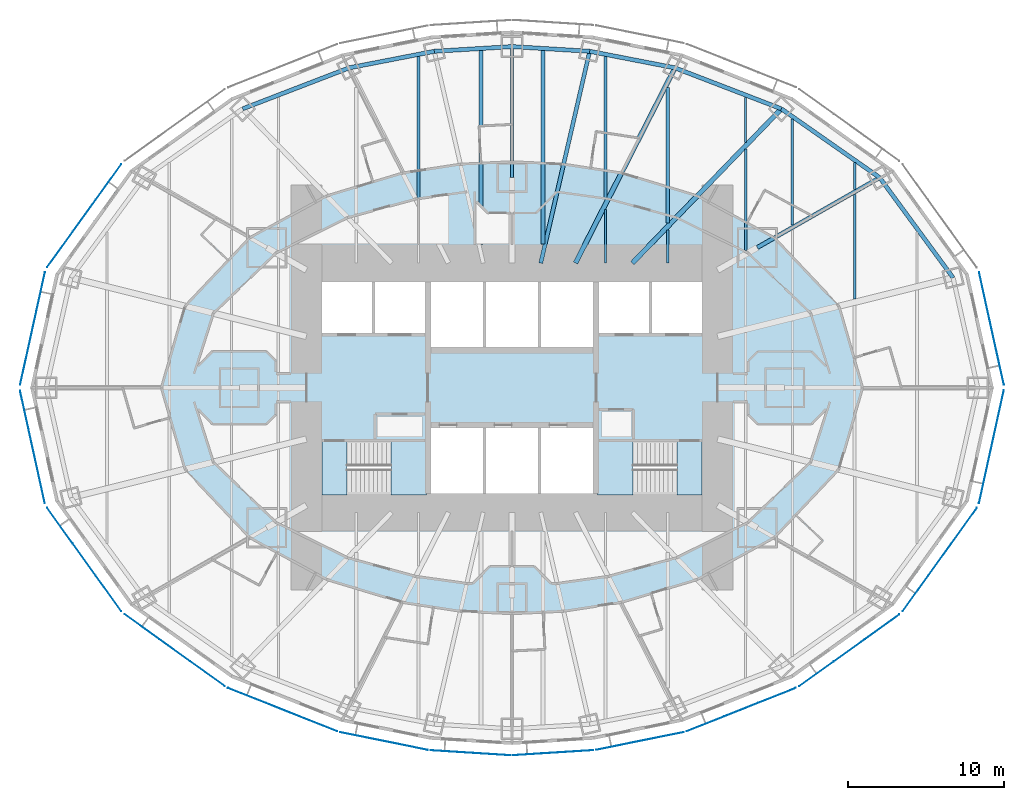
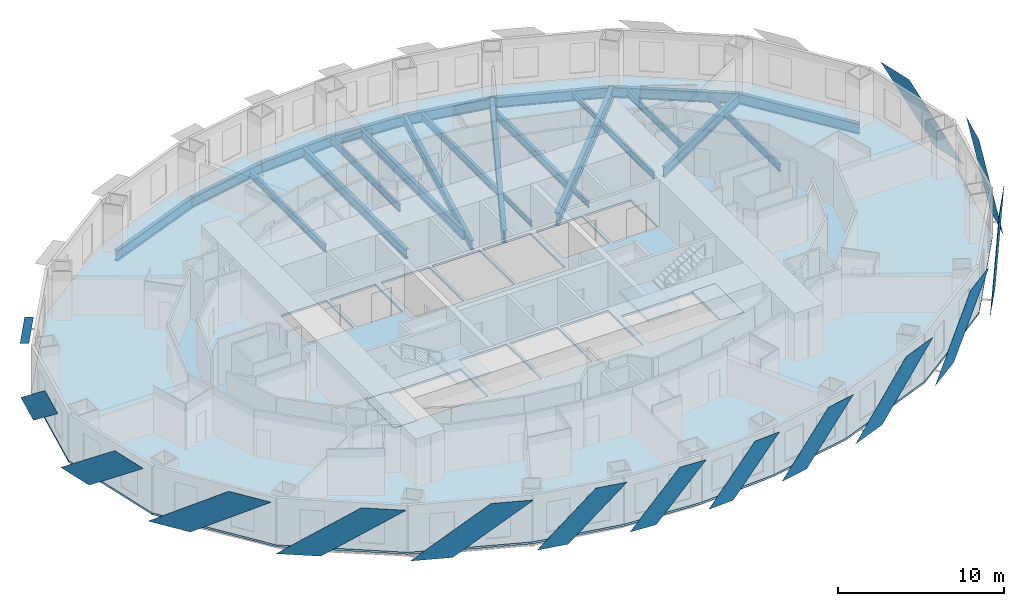
# One storey, part 3 of 15: 25 beams, 15 plates, 5 slabs, 2 elements without a shape of their own.
"""IFC4 building model written with IfcOpenShell, lengths in metres."""

from ifc_helpers import new_model, si_unit, direction, frame, origin, origin_2d, place, context, subcontext, project, spatial, polyline, i_section, outline, extrude, material, layer, layer_set, material_profile, profile_set, type_object, element, aggregate, save


model = new_model("IFC4")

# Units and contexts
model_context = context("Model", 3, precision=1e-05, world=origin(), true_north=direction((0.0, 1.0)))
body_context = subcontext(model_context, "Body", "Model", "MODEL_VIEW")
ifc_project = project(units=[si_unit("LENGTHUNIT", "METRE"), si_unit("AREAUNIT", "SQUARE_METRE"), si_unit("VOLUMEUNIT", "CUBIC_METRE"), si_unit("PLANEANGLEUNIT", "RADIAN"), si_unit("MASSUNIT", "GRAM", prefix="KILO")], contexts=[model_context])

# Site, building, storey
site_placement = place(None, origin())
site = spatial("IfcSite", under=ifc_project, at=site_placement, CompositionType="ELEMENT")
building_placement = place(site_placement, origin())
building = spatial("IfcBuilding", under=site, at=building_placement, Name="Lantaw Convention Tower", CompositionType="ELEMENT")
storey_placement = place(building_placement, frame((0.0, 0.0, 87.39990234375)))
storey = spatial("IfcBuildingStorey", under=building, at=storey_placement, Name="L20", CompositionType="ELEMENT", Elevation=87.39990234375)

# Beams
ifc_material_1 = material(Name="Steel ASTM A992", Category="steel")
ifc_material_profile_1 = material_profile(ifc_material_1, i_section(OverallWidth=0.2666015625, OverallDepth=0.76953125, WebThickness=0.015625, FlangeThickness=0.025390625, FilletRadius=0.0126953125, at=origin_2d()), Name="W30X132")
ifc_profile_set_1 = profile_set([ifc_material_profile_1], Name="Steel ASTM A992")
beam_type_1 = type_object("IfcBeamType", Name="Beam E W30X132", PredefinedType="SPANDREL", material=ifc_profile_set_1)
beam_1_placement = place(storey_placement, frame((28.31787109375, 7.060302734375, -0.53466796875), z_axis=(-0.591270709086, 0.806473154281, 0.0), x_axis=(-0.806473154281, -0.591270709086, 0.0)))
element("IfcBeam", 1, at=beam_1_placement, inside=storey, type_object=beam_type_1, Name="Edge beam 2", PredefinedType="SPANDREL", context=body_context, shape_type="SweptSolid", body=[
    extrude(i_section(OverallWidth=0.2666015625, OverallDepth=0.76953125, WebThickness=0.015625, FlangeThickness=0.025390625, FilletRadius=0.0126953125, at=origin_2d()), origin(), (0.0, 0.0, 1.0), 7.970703125),
])
beam_2_placement = place(storey_placement, frame((23.60498046875, 13.488525390625, -0.53466796875), z_axis=(-0.81942686407, 0.57318375277, 0.0), x_axis=(-0.57318375277, -0.81942686407, 0.0)))
element("IfcBeam", 2, at=beam_2_placement, inside=storey, type_object=beam_type_1, Name="Edge beam 3", PredefinedType="SPANDREL", context=body_context, shape_type="SweptSolid", body=[
    extrude(i_section(OverallWidth=0.2666015625, OverallDepth=0.76953125, WebThickness=0.015625, FlangeThickness=0.025390625, FilletRadius=0.0126953125, at=origin_2d()), origin(), (0.0, 0.0, 1.0), 7.70556640625),
])
beam_3_placement = place(storey_placement, frame((17.290771484375, 17.9052734375, -0.53466796875), z_axis=(-0.933232900641, 0.359271976588, 0.0), x_axis=(-0.359271976588, -0.933232900641, 0.0)))
element("IfcBeam", 3, at=beam_3_placement, inside=storey, type_object=beam_type_1, Name="Edge beam 4", PredefinedType="SPANDREL", context=body_context, shape_type="SweptSolid", body=[
    extrude(i_section(OverallWidth=0.2666015625, OverallDepth=0.76953125, WebThickness=0.015625, FlangeThickness=0.025390625, FilletRadius=0.0126953125, at=origin_2d()), origin(), (0.0, 0.0, 1.0), 7.316650390625),
])
beam_4_placement = place(storey_placement, frame((10.462646484375, 20.533935546875, -0.53466796875), z_axis=(-0.981636565323, 0.190760723474, 0.0), x_axis=(-0.190760723474, -0.981636565323, 0.0)))
element("IfcBeam", 4, at=beam_4_placement, inside=storey, type_object=beam_type_1, Name="Edge beam 5", PredefinedType="SPANDREL", context=body_context, shape_type="SweptSolid", body=[
    extrude(i_section(OverallWidth=0.2666015625, OverallDepth=0.76953125, WebThickness=0.015625, FlangeThickness=0.025390625, FilletRadius=0.0126953125, at=origin_2d()), origin(), (0.0, 0.0, 1.0), 5.578857421875),
])
for number, where, z_axis, x_axis, name in (
    (5, (4.986328125, 21.59814453125, -0.53466796875), (-0.998173858406, 0.060406526096, 0.0), (-0.060406526096, -0.998173858406, 0.0), "Edge beam 6"),
    (6, (0.0, 21.89990234375, -0.53466796875), (-0.998173858406, -0.060406526096, 0.0), (0.060406526096, -0.998173858406, 0.0), "Edge beam 7"),
):
    element("IfcBeam", number, at=place(storey_placement, frame(where, z_axis=z_axis, x_axis=x_axis)), inside=storey, type_object=beam_type_1, Name=name, PredefinedType="SPANDREL", context=body_context, shape_type="SweptSolid", body=[
        extrude(i_section(OverallWidth=0.2666015625, OverallDepth=0.76953125, WebThickness=0.015625, FlangeThickness=0.025390625, FilletRadius=0.0126953125, at=origin_2d()), origin(), (0.0, 0.0, 1.0), 4.995361328125),
    ])
beam_5_placement = place(storey_placement, frame((-4.986328125, 21.59814453125, -0.53466796875), z_axis=(-0.981636565323, -0.190760723474, 0.0), x_axis=(0.190760723474, -0.981636565323, 0.0)))
element("IfcBeam", 7, at=beam_5_placement, inside=storey, type_object=beam_type_1, Name="Edge beam 8", PredefinedType="SPANDREL", context=body_context, shape_type="SweptSolid", body=[
    extrude(i_section(OverallWidth=0.2666015625, OverallDepth=0.76953125, WebThickness=0.015625, FlangeThickness=0.025390625, FilletRadius=0.0126953125, at=origin_2d()), origin(), (0.0, 0.0, 1.0), 5.578857421875),
])
beam_6_placement = place(storey_placement, frame((-10.462646484375, 20.533935546875, -0.53466796875), z_axis=(-0.933232900641, -0.359271976588, 0.0), x_axis=(0.359271976588, -0.933232900641, 0.0)))
element("IfcBeam", 8, at=beam_6_placement, inside=storey, type_object=beam_type_1, Name="Edge beam 9", PredefinedType="SPANDREL", context=body_context, shape_type="SweptSolid", body=[
    extrude(i_section(OverallWidth=0.2666015625, OverallDepth=0.76953125, WebThickness=0.015625, FlangeThickness=0.025390625, FilletRadius=0.0126953125, at=origin_2d()), origin(), (0.0, 0.0, 1.0), 7.316650390625),
])
ifc_material_profile_2 = material_profile(ifc_material_1, i_section(OverallWidth=0.1650390625, OverallDepth=0.52587890625, WebThickness=0.0087890625, FlangeThickness=0.011474609375, FilletRadius=0.0126953125, at=origin_2d()), Name="W21X44")
ifc_profile_set_2 = profile_set([ifc_material_profile_2], Name="Steel ASTM A992")
beam_type_2 = type_object("IfcBeamType", Name="Beam G W21X44", PredefinedType="BEAM", material=ifc_profile_set_2)
beam_7_placement = place(storey_placement, frame((0.0, 13.5, -0.412841796875), z_axis=(0.0, 1.0, 0.0), x_axis=(-1.0, 0.0, 0.0)))
element("IfcBeam", 9, at=beam_7_placement, inside=storey, type_object=beam_type_2, Name="Floor girder on ray 7", PredefinedType="BEAM", context=body_context, shape_type="SweptSolid", body=[
    extrude(i_section(OverallWidth=0.1650390625, OverallDepth=0.52587890625, WebThickness=0.0087890625, FlangeThickness=0.011474609375, FilletRadius=0.0126953125, at=origin_2d()), origin(), (0.0, 0.0, 1.0), 8.39990234375),
])
ifc_material_profile_3 = material_profile(ifc_material_1, i_section(OverallWidth=0.25390625, OverallDepth=0.683349609375, WebThickness=0.012451171875, FlangeThickness=0.01904296875, FilletRadius=0.01513671875, at=origin_2d()), Name="W27X94")
ifc_profile_set_3 = profile_set([ifc_material_profile_3], Name="Steel ASTM A992")
beam_type_3 = type_object("IfcBeamType", Name="Beam G W27X94", PredefinedType="BEAM", material=ifc_profile_set_3)
beam_8_placement = place(storey_placement, frame((1.846923828125, 8.0, -0.491455078125), z_axis=(0.224952773175, 0.97436966796, 0.0), x_axis=(-0.97436966796, 0.224952773175, 0.0)))
element("IfcBeam", 10, at=beam_8_placement, inside=storey, type_object=beam_type_3, Name="Floor girder on ray 6", PredefinedType="BEAM", context=body_context, shape_type="SweptSolid", body=[
    extrude(i_section(OverallWidth=0.25390625, OverallDepth=0.683349609375, WebThickness=0.012451171875, FlangeThickness=0.01904296875, FilletRadius=0.01513671875, at=origin_2d()), origin(), (0.0, 0.0, 1.0), 13.955810546875),
])
ifc_material_profile_4 = material_profile(ifc_material_1, i_section(OverallWidth=0.2666015625, OverallDepth=0.7568359375, WebThickness=0.013916015625, FlangeThickness=0.019287109375, FilletRadius=0.0126953125, at=origin_2d()), Name="W30X108")
ifc_profile_set_4 = profile_set([ifc_material_profile_4], Name="Steel ASTM A992")
beam_type_4 = type_object("IfcBeamType", Name="Beam G W30X108", PredefinedType="BEAM", material=ifc_profile_set_4)
beam_9_placement = place(storey_placement, frame((15.75, 9.0, -0.5283203125), z_axis=(0.868244802791, 0.496136032179, 0.0), x_axis=(-0.496136032179, 0.868244802791, 0.0)))
element("IfcBeam", 11, at=beam_9_placement, inside=storey, type_object=beam_type_4, Name="Floor girder on ray 3", PredefinedType="BEAM", context=body_context, shape_type="SweptSolid", body=[
    extrude(i_section(OverallWidth=0.2666015625, OverallDepth=0.7568359375, WebThickness=0.013916015625, FlangeThickness=0.019287109375, FilletRadius=0.0126953125, at=origin_2d()), origin(), (0.0, 0.0, 1.0), 9.046875),
])
ifc_material_profile_5 = material_profile(ifc_material_1, i_section(OverallWidth=0.307373046875, OverallDepth=0.922119140625, WebThickness=0.018310546875, FlangeThickness=0.030029296875, FilletRadius=0.0126953125, at=origin_2d()), Name="W36X182")
ifc_profile_set_5 = profile_set([ifc_material_profile_5], Name="Steel ASTM A992")
beam_type_5 = type_object("IfcBeamType", Name="Beam G W36X182", PredefinedType="BEAM", material=ifc_profile_set_5)
beam_10_placement = place(storey_placement, frame((7.7255859375, 8.0, -0.61083984375), z_axis=(0.694649884291, 0.719347995239, 0.0), x_axis=(-0.719347995239, 0.694649884291, 0.0)))
element("IfcBeam", 12, at=beam_10_placement, inside=storey, type_object=beam_type_5, Name="Floor girder on ray 4", PredefinedType="BEAM", context=body_context, shape_type="SweptSolid", body=[
    extrude(i_section(OverallWidth=0.307373046875, OverallDepth=0.922119140625, WebThickness=0.018310546875, FlangeThickness=0.030029296875, FilletRadius=0.0126953125, at=origin_2d()), origin(), (0.0, 0.0, 1.0), 13.769775390625),
])
beam_11_placement = place(storey_placement, frame((4.076171875, 8.0, -0.61083984375), z_axis=(0.453997016122, 0.891003203896, 0.0), x_axis=(-0.891003203896, 0.453997016122, 0.0)))
element("IfcBeam", 13, at=beam_11_placement, inside=storey, type_object=beam_type_5, Name="Floor girder on ray 5", PredefinedType="BEAM", context=body_context, shape_type="SweptSolid", body=[
    extrude(i_section(OverallWidth=0.307373046875, OverallDepth=0.922119140625, WebThickness=0.018310546875, FlangeThickness=0.030029296875, FilletRadius=0.0126953125, at=origin_2d()), origin(), (0.0, 0.0, 1.0), 14.067138671875),
])
ifc_material_profile_6 = material_profile(ifc_material_1, i_section(OverallWidth=0.140380859375, OverallDepth=0.40380859375, WebThickness=0.007080078125, FlangeThickness=0.01123046875, FilletRadius=0.01025390625, at=origin_2d()), Name="W16X31")
ifc_profile_set_6 = profile_set([ifc_material_profile_6], Name="Steel ASTM A992")
beam_type_6 = type_object("IfcBeamType", Name="Beam J W16X31", PredefinedType="JOIST", material=ifc_profile_set_6)
beam_12_placement = place(storey_placement, frame((6.0, 8.0, -0.351806640625), z_axis=(0.0, 1.0, 0.0), x_axis=(-1.0, 0.0, 0.0)))
element("IfcBeam", 14, at=beam_12_placement, inside=storey, type_object=beam_type_6, Name="Floor joist", PredefinedType="JOIST", context=body_context, shape_type="SweptSolid", body=[
    extrude(i_section(OverallWidth=0.140380859375, OverallDepth=0.40380859375, WebThickness=0.007080078125, FlangeThickness=0.01123046875, FilletRadius=0.01025390625, at=origin_2d()), origin(), (0.0, 0.0, 1.0), 3.437255859375),
])
beam_13_placement = place(storey_placement, frame((10.0, 8.0, -0.351806640625), z_axis=(0.0, 1.0, 0.0), x_axis=(-1.0, 0.0, 0.0)))
element("IfcBeam", 15, at=beam_13_placement, inside=storey, type_object=beam_type_6, Name="Floor joist", PredefinedType="JOIST", context=body_context, shape_type="SweptSolid", body=[
    extrude(i_section(OverallWidth=0.140380859375, OverallDepth=0.40380859375, WebThickness=0.007080078125, FlangeThickness=0.01123046875, FilletRadius=0.01025390625, at=origin_2d()), origin(), (0.0, 0.0, 1.0), 2.134033203125),
])
beam_14_placement = place(storey_placement, frame((15.0, 15.754150390625, -0.351806640625), z_axis=(0.0, 1.0, 0.0), x_axis=(-1.0, 0.0, 0.0)))
element("IfcBeam", 16, at=beam_14_placement, inside=storey, type_object=beam_type_6, Name="Floor joist", PredefinedType="JOIST", context=body_context, shape_type="SweptSolid", body=[
    extrude(i_section(OverallWidth=0.140380859375, OverallDepth=0.40380859375, WebThickness=0.007080078125, FlangeThickness=0.01123046875, FilletRadius=0.01025390625, at=origin_2d()), origin(), (0.0, 0.0, 1.0), 2.89013671875),
])
beam_15_placement = place(storey_placement, frame((22.0, 12.72509765625, -0.351806640625), z_axis=(0.0, 1.0, 0.0), x_axis=(-1.0, 0.0, 0.0)))
element("IfcBeam", 17, at=beam_15_placement, inside=storey, type_object=beam_type_6, Name="Floor joist", PredefinedType="JOIST", context=body_context, shape_type="SweptSolid", body=[
    extrude(i_section(OverallWidth=0.140380859375, OverallDepth=0.40380859375, WebThickness=0.007080078125, FlangeThickness=0.01123046875, FilletRadius=0.01025390625, at=origin_2d()), origin(), (0.0, 0.0, 1.0), 1.723388671875),
])
ifc_material_profile_7 = material_profile(ifc_material_1, i_section(OverallWidth=0.1650390625, OverallDepth=0.52587890625, WebThickness=0.0087890625, FlangeThickness=0.011474609375, FilletRadius=0.0126953125, at=origin_2d()), Name="W21X44")
ifc_profile_set_7 = profile_set([ifc_material_profile_7], Name="Steel ASTM A992")
beam_type_7 = type_object("IfcBeamType", Name="Beam J W21X44", PredefinedType="JOIST", material=ifc_profile_set_7)
beam_16_placement = place(storey_placement, frame((15.0, 8.803955078125, -0.412841796875), z_axis=(0.0, 1.0, 0.0), x_axis=(-1.0, 0.0, 0.0)))
element("IfcBeam", 18, at=beam_16_placement, inside=storey, type_object=beam_type_7, Name="Floor joist", PredefinedType="JOIST", context=body_context, shape_type="SweptSolid", body=[
    extrude(i_section(OverallWidth=0.1650390625, OverallDepth=0.52587890625, WebThickness=0.0087890625, FlangeThickness=0.011474609375, FilletRadius=0.0126953125, at=origin_2d()), origin(), (0.0, 0.0, 1.0), 6.5078125),
])
beam_17_placement = place(storey_placement, frame((18.0, 10.439208984375, -0.412841796875), z_axis=(0.0, 1.0, 0.0), x_axis=(-1.0, 0.0, 0.0)))
element("IfcBeam", 19, at=beam_17_placement, inside=storey, type_object=beam_type_7, Name="Floor joist", PredefinedType="JOIST", context=body_context, shape_type="SweptSolid", body=[
    extrude(i_section(OverallWidth=0.1650390625, OverallDepth=0.52587890625, WebThickness=0.0087890625, FlangeThickness=0.011474609375, FilletRadius=0.0126953125, at=origin_2d()), origin(), (0.0, 0.0, 1.0), 6.80712890625),
])
beam_18_placement = place(storey_placement, frame((22.0, 5.693359375, -0.412841796875), z_axis=(0.0, 1.0, 0.0), x_axis=(-1.0, 0.0, 0.0)))
element("IfcBeam", 20, at=beam_18_placement, inside=storey, type_object=beam_type_7, Name="Floor joist", PredefinedType="JOIST", context=body_context, shape_type="SweptSolid", body=[
    extrude(i_section(OverallWidth=0.1650390625, OverallDepth=0.52587890625, WebThickness=0.0087890625, FlangeThickness=0.011474609375, FilletRadius=0.0126953125, at=origin_2d()), origin(), (0.0, 0.0, 1.0), 6.724609375),
])
ifc_material_profile_8 = material_profile(ifc_material_1, i_section(OverallWidth=0.2099609375, OverallDepth=0.535888671875, WebThickness=0.010986328125, FlangeThickness=0.017333984375, FilletRadius=0.012939453125, at=origin_2d()), Name="W21X68")
ifc_profile_set_8 = profile_set([ifc_material_profile_8], Name="Steel ASTM A992")
beam_type_8 = type_object("IfcBeamType", Name="Beam J W21X68", PredefinedType="JOIST", material=ifc_profile_set_8)
for number, where, z_axis, x_axis, name in (
    (21, (-6.0, 12.1142578125, -0.41796875), (0.0, 1.0, 0.0), (-1.0, 0.0, 0.0), "Floor joist"),
    (22, (6.0, 12.1142578125, -0.41796875), (0.0, 1.0, 0.0), (-1.0, 0.0, 0.0), "Floor joist"),
):
    element("IfcBeam", number, at=place(storey_placement, frame(where, z_axis=z_axis, x_axis=x_axis)), inside=storey, type_object=beam_type_8, Name=name, PredefinedType="JOIST", context=body_context, shape_type="SweptSolid", body=[
        extrude(i_section(OverallWidth=0.2099609375, OverallDepth=0.535888671875, WebThickness=0.010986328125, FlangeThickness=0.017333984375, FilletRadius=0.012939453125, at=origin_2d()), origin(), (0.0, 0.0, 1.0), 9.15087890625),
    ])
ifc_material_profile_9 = material_profile(ifc_material_1, i_section(OverallWidth=0.227783203125, OverallDepth=0.60205078125, WebThickness=0.010498046875, FlangeThickness=0.014892578125, FilletRadius=0.012939453125, at=origin_2d()), Name="W24X68")
ifc_profile_set_9 = profile_set([ifc_material_profile_9], Name="Steel ASTM A992")
beam_type_9 = type_object("IfcBeamType", Name="Beam J W24X68", PredefinedType="JOIST", material=ifc_profile_set_9)
beam_19_placement = place(storey_placement, frame((10.0, 10.576416015625, -0.450927734375), z_axis=(0.0, 1.0, 0.0), x_axis=(-1.0, 0.0, 0.0)))
element("IfcBeam", 23, at=beam_19_placement, inside=storey, type_object=beam_type_9, Name="Floor joist", PredefinedType="JOIST", context=body_context, shape_type="SweptSolid", body=[
    extrude(i_section(OverallWidth=0.227783203125, OverallDepth=0.60205078125, WebThickness=0.010498046875, FlangeThickness=0.014892578125, FilletRadius=0.012939453125, at=origin_2d()), origin(), (0.0, 0.0, 1.0), 8.711181640625),
])
ifc_material_profile_10 = material_profile(ifc_material_1, i_section(OverallWidth=0.25390625, OverallDepth=0.700927734375, WebThickness=0.015380859375, FlangeThickness=0.02783203125, FilletRadius=0.01513671875, at=origin_2d()), Name="W27X129")
ifc_profile_set_10 = profile_set([ifc_material_profile_10], Name="Steel ASTM A992")
beam_type_10 = type_object("IfcBeamType", Name="Beam J W27X129", PredefinedType="JOIST", material=ifc_profile_set_10)
for number, where, z_axis, x_axis, name in (
    (24, (-2.0, 9.2275390625, -0.50048828125), (0.0, 1.0, 0.0), (-1.0, 0.0, 0.0), "Floor joist"),
    (25, (2.0, 9.2275390625, -0.50048828125), (0.0, 1.0, 0.0), (-1.0, 0.0, 0.0), "Floor joist"),
):
    element("IfcBeam", number, at=place(storey_placement, frame(where, z_axis=z_axis, x_axis=x_axis)), inside=storey, type_object=beam_type_10, Name=name, PredefinedType="JOIST", context=body_context, shape_type="SweptSolid", body=[
        extrude(i_section(OverallWidth=0.25390625, OverallDepth=0.700927734375, WebThickness=0.015380859375, FlangeThickness=0.02783203125, FilletRadius=0.01513671875, at=origin_2d()), origin(), (0.0, 0.0, 1.0), 12.417724609375),
    ])

# Slab
ifc_material_2 = material(Name="Concrete C35/45", Category="concrete")
ifc_layer_1 = layer(ifc_material_2, 0.14990234375)
ifc_layer_set_1 = layer_set([ifc_layer_1], Name="Floor slab 150")
slab_type_1 = type_object("IfcSlabType", Name="Floor slab 150", PredefinedType="FLOOR", material=ifc_layer_set_1)
slab_1_placement = place(storey_placement, frame((0.0, 0.0, -0.14990234375)))
element("IfcSlab", 26, at=slab_1_placement, inside=storey, type_object=slab_type_1, Name="L20 floor slab", PredefinedType="FLOOR", context=body_context, shape_type="SweptSolid", body=[
    extrude(outline(polyline([(29.315185546875, -7.29541015625), (30.923095703125, 0.0), (29.315185546875, 7.29541015625), (24.50634765625, 13.98046875), (18.018798828125, 18.630126953125), (10.9404296875, 21.44189453125), (5.223876953125, 22.59521484375), (0.0, 22.9248046875), (-5.223876953125, 22.59521484375), (-10.9404296875, 21.44189453125), (-18.018798828125, 18.630126953125), (-24.50634765625, 13.98046875), (-29.315185546875, 7.29541015625), (-30.923095703125, 0.0), (-29.315185546875, -7.29541015625), (-24.50634765625, -13.98046875), (-18.018798828125, -18.630126953125), (-10.9404296875, -21.44189453125), (-5.223876953125, -22.59521484375), (0.0, -22.9248046875), (5.223876953125, -22.59521484375), (10.9404296875, -21.44189453125), (18.018798828125, -18.630126953125), (24.50634765625, -13.98046875), (29.315185546875, -7.29541015625)]), holes=[polyline([(-5.60009765625, -3.5), (-12.199951171875, -3.5), (-12.199951171875, -6.800048828125), (-5.60009765625, -6.800048828125), (-5.60009765625, -3.5)]), polyline([(-1.86669921875, -6.800048828125), (-1.86669921875, -2.60009765625), (-5.199951171875, -2.60009765625), (-5.199951171875, -6.800048828125), (-1.86669921875, -6.800048828125)]), polyline([(-1.86669921875, 2.60009765625), (-1.86669921875, 6.800048828125), (-5.199951171875, 6.800048828125), (-5.199951171875, 2.60009765625), (-1.86669921875, 2.60009765625)]), polyline([(1.666748046875, 6.800048828125), (-1.666748046875, 6.800048828125), (-1.666748046875, 2.60009765625), (1.666748046875, 2.60009765625), (1.666748046875, 6.800048828125)]), polyline([(-9.0, 3.5), (-9.0, 6.800048828125), (-12.199951171875, 6.800048828125), (-12.199951171875, 3.5), (-9.0, 3.5)]), polyline([(-5.60009765625, 3.5), (-5.60009765625, 6.800048828125), (-8.800048828125, 6.800048828125), (-8.800048828125, 3.5), (-5.60009765625, 3.5)]), polyline([(12.199951171875, -3.5), (5.60009765625, -3.5), (5.60009765625, -6.800048828125), (12.199951171875, -6.800048828125), (12.199951171875, -3.5)]), polyline([(1.666748046875, -6.800048828125), (1.666748046875, -2.60009765625), (-1.666748046875, -2.60009765625), (-1.666748046875, -6.800048828125), (1.666748046875, -6.800048828125)]), polyline([(5.199951171875, -6.800048828125), (5.199951171875, -2.60009765625), (1.86669921875, -2.60009765625), (1.86669921875, -6.800048828125), (5.199951171875, -6.800048828125)]), polyline([(5.199951171875, 6.800048828125), (1.86669921875, 6.800048828125), (1.86669921875, 2.60009765625), (5.199951171875, 2.60009765625), (5.199951171875, 6.800048828125)]), polyline([(8.800048828125, 3.5), (8.800048828125, 6.800048828125), (5.60009765625, 6.800048828125), (5.60009765625, 3.5), (8.800048828125, 3.5)]), polyline([(12.199951171875, 3.5), (12.199951171875, 6.800048828125), (9.0, 6.800048828125), (9.0, 3.5), (12.199951171875, 3.5)])]), origin(), (0.0, 0.0, 1.0), 0.14990234375),
])

# Plates
ifc_material_3 = material(Name="Perforated aluminium sheet, pale silver finish", Category="aluminium")
ifc_layer_2 = layer(ifc_material_3, 0.006103515625)
ifc_layer_set_2 = layer_set([ifc_layer_2], Name="Perforated aluminium solar SCREEN panel")
plate_type = type_object("IfcPlateType", Name="Perforated aluminium solar SCREEN panel", PredefinedType="SHEET", material=ifc_layer_set_2)
plate_1_placement = place(storey_placement, frame((31.5810546875, 0.17919921875, -0.1748046875), z_axis=(-0.97655943558, -0.215247921852, 3.0295023e-05), x_axis=(-0.215247921951, 0.976559436028, 3.12e-10)))
element("IfcPlate", 27, at=plate_1_placement, inside=storey, type_object=plate_type, Name="Solar SCREEN panel", PredefinedType="SHEET", context=body_context, shape_type="SweptSolid", body=[
    extrude(outline(polyline([(0.0, 0.0), (2.551002212329069, 3.3881317890172014e-21), (7.402498252985418, -3.739990233781388), (4.851734458487411, -3.7399902353733405), (0.0, 0.0)])), origin(), (0.0, 0.0, -1.0), 0.006103515625),
])
plate_2_placement = place(storey_placement, frame((-25.0810546875, 14.34765625, -0.1748046875), z_axis=(0.811791382613, -0.583947558463, 9.019268e-06), x_axis=(-0.583947558486, -0.811791382646, 0.0)))
element("IfcPlate", 28, at=plate_2_placement, inside=storey, type_object=plate_type, Name="Solar SCREEN panel", PredefinedType="SHEET", context=body_context, shape_type="SweptSolid", body=[
    extrude(outline(polyline([(0.0, 0.0), (2.809541672291133, 0.0), (8.163093158837512, -3.739990234527119), (5.353551486546379, -3.739990234527119), (0.0, 0.0)])), origin(), (0.0, 0.0, -1.0), 0.006103515625),
])
plate_3_placement = place(storey_placement, frame((-29.98779296875, 7.408203125, -0.1748046875), z_axis=(-0.97655943558, 0.215247921852, 3.0295023e-05), x_axis=(-0.215247921951, -0.976559436028, -3.12e-10)))
element("IfcPlate", 29, at=plate_3_placement, inside=storey, type_object=plate_type, Name="Solar SCREEN panel", PredefinedType="SHEET", context=body_context, shape_type="SweptSolid", body=[
    extrude(outline(polyline([(0.0, 0.0), (2.5507637944980077, 6.776263578034403e-21), (7.402498250651261, 3.7399902384013473), (4.851496038322192, 3.739990236809246), (0.0, 0.0)])), origin(), (0.0, 0.0, -1.0), 0.006103515625),
])
plate_4_placement = place(storey_placement, frame((-31.5810546875, -0.17919921875, -0.1748046875), z_axis=(0.97655943558, 0.215247921852, 3.0295023e-05), x_axis=(0.215247921951, -0.976559436028, 3.12e-10)))
element("IfcPlate", 30, at=plate_4_placement, inside=storey, type_object=plate_type, Name="Solar SCREEN panel", PredefinedType="SHEET", context=body_context, shape_type="SweptSolid", body=[
    extrude(outline(polyline([(0.0, 0.0), (2.551002212329069, 3.3881317890172014e-21), (7.402498252985418, -3.739990233781388), (4.851734458487411, -3.7399902353733405), (0.0, 0.0)])), origin(), (0.0, 0.0, -1.0), 0.006103515625),
])
plate_5_placement = place(storey_placement, frame((-29.847900390625, -7.720947265625, -0.1748046875), z_axis=(-0.811791382613, -0.583947558463, 9.019268e-06), x_axis=(0.583947558486, -0.811791382646, 0.0)))
element("IfcPlate", 31, at=plate_5_placement, inside=storey, type_object=plate_type, Name="Solar SCREEN panel", PredefinedType="SHEET", context=body_context, shape_type="SweptSolid", body=[
    extrude(outline(polyline([(0.0, 0.0), (2.809541672291133, 0.0), (8.163093158837512, 3.739990234527119), (5.353551486546379, 3.739990234527119), (0.0, 0.0)])), origin(), (0.0, 0.0, -1.0), 0.006103515625),
])
plate_6_placement = place(storey_placement, frame((-24.872314453125, -14.555908203125, -0.1748046875), z_axis=(-0.582561421998, -0.812786681331, 1.5819417e-05), x_axis=(0.812786681433, -0.582561422071, 0.0)))
element("IfcPlate", 32, at=plate_6_placement, inside=storey, type_object=plate_type, Name="Solar SCREEN panel", PredefinedType="SHEET", context=body_context, shape_type="SweptSolid", body=[
    extrude(outline(polyline([(0.0, 0.0), (2.721095180812288, 3.3881317890172014e-21), (7.903118572410756, 3.739990234842974), (5.182023391598468, 3.739990234842974), (0.0, 0.0)])), origin(), (0.0, 0.0, -1.0), 0.006103515625),
])
plate_7_placement = place(storey_placement, frame((-18.232177734375, -19.278076171875, -0.1748046875), z_axis=(0.369183532846, 0.929356508016, 9.163296e-06), x_axis=(0.929356508055, -0.369183532862, 0.0)))
element("IfcPlate", 33, at=plate_7_placement, inside=storey, type_object=plate_type, Name="Solar SCREEN panel", PredefinedType="SHEET", context=body_context, shape_type="SweptSolid", body=[
    extrude(outline(polyline([(0.0, 0.0), (2.594936467166582, -1.6940658945086007e-21), (7.5321069917580825, -3.739990234532016), (4.937170524591499, -3.739990234532016), (0.0, 0.0)])), origin(), (0.0, 0.0, -1.0), 0.006103515625),
])
plate_8_placement = place(storey_placement, frame((-11.03271484375, -22.117919921875, -0.1748046875), z_axis=(0.197781876197, 0.980246055561, 2.418535e-06), x_axis=(0.980246055563, -0.197781876198, 1.46e-10)))
element("IfcPlate", 34, at=plate_8_placement, inside=storey, type_object=plate_type, Name="Solar SCREEN panel", PredefinedType="SHEET", context=body_context, shape_type="SweptSolid", body=[
    extrude(outline(polyline([(0.0, 0.0), (1.9867801772236329, -3.1763735522036263e-22), (5.743587245978565, -3.7399902335493134), (3.7568553553458006, -3.739990234128105), (0.0, 0.0)])), origin(), (0.0, 0.0, -1.0), 0.006103515625),
])
plate_9_placement = place(storey_placement, frame((-5.221923828125, -23.27783203125, -0.1748046875), z_axis=(0.062923905251, 0.998018327468, 1.3605496e-05), x_axis=(0.998018327561, -0.062923905257, 9.3e-10)))
element("IfcPlate", 35, at=plate_9_placement, inside=storey, type_object=plate_type, Name="Solar SCREEN panel", PredefinedType="SHEET", context=body_context, shape_type="SweptSolid", body=[
    extrude(outline(polyline([(0.0, 0.0), (1.7828375409377817, -2.117582368135751e-22), (5.143985963027618, -3.739990229938699), (3.3611637843713935, -3.7399902332537565), (0.0, 0.0)])), origin(), (0.0, 0.0, -1.0), 0.006103515625),
])
plate_10_placement = place(storey_placement, frame((0.088134765625, -23.6015625, -0.1748046875), z_axis=(0.062923905251, -0.998018327468, 1.3605496e-05), x_axis=(0.998018327561, 0.062923905257, -9.3e-10)))
element("IfcPlate", 36, at=plate_10_placement, inside=storey, type_object=plate_type, Name="Solar SCREEN panel", PredefinedType="SHEET", context=body_context, shape_type="SweptSolid", body=[
    extrude(outline(polyline([(0.0, 0.0), (1.782822178656225, -2.117582368135751e-22), (5.143985956073316, 3.7399902395036517), (3.3611484151355353, 3.7399902361885653), (0.0, 0.0)])), origin(), (0.0, 0.0, -1.0), 0.006103515625),
])
plate_11_placement = place(storey_placement, frame((5.402587890625, -23.25390625, -0.1748046875), z_axis=(0.197781876197, -0.980246055561, 2.418535e-06), x_axis=(0.980246055563, 0.197781876198, -1.46e-10)))
element("IfcPlate", 37, at=plate_11_placement, inside=storey, type_object=plate_type, Name="Solar SCREEN panel", PredefinedType="SHEET", context=body_context, shape_type="SweptSolid", body=[
    extrude(outline(polyline([(0.0, 0.0), (1.9867318906327642, 1.0587911840678754e-22), (5.743587244888999, 3.7399902352225842), (3.7568070676653664, 3.7399902346437783), (0.0, 0.0)])), origin(), (0.0, 0.0, -1.0), 0.006103515625),
])
plate_12_placement = place(storey_placement, frame((11.232177734375, -22.058837890625, -0.1748046875), z_axis=(0.369183532846, -0.929356508016, 9.163296e-06), x_axis=(0.929356508055, 0.369183532862, 0.0)))
element("IfcPlate", 38, at=plate_12_placement, inside=storey, type_object=plate_type, Name="Solar SCREEN panel", PredefinedType="SHEET", context=body_context, shape_type="SweptSolid", body=[
    extrude(outline(polyline([(0.0, 0.0), (2.594936467166582, 1.6940658945086007e-21), (7.5321069917580825, 3.739990234532016), (4.937170524591499, 3.739990234532016), (0.0, 0.0)])), origin(), (0.0, 0.0, -1.0), 0.006103515625),
])
plate_13_placement = place(storey_placement, frame((18.44873046875, -19.159912109375, -0.1748046875), z_axis=(-0.582561421998, 0.812786681331, 1.5819417e-05), x_axis=(0.812786681433, 0.582561422071, 0.0)))
element("IfcPlate", 39, at=plate_13_placement, inside=storey, type_object=plate_type, Name="Solar SCREEN panel", PredefinedType="SHEET", context=body_context, shape_type="SweptSolid", body=[
    extrude(outline(polyline([(0.0, 0.0), (2.721095180812288, -3.3881317890172014e-21), (7.903118572410756, -3.739990234842974), (5.182023391598468, -3.739990234842974), (0.0, 0.0)])), origin(), (0.0, 0.0, -1.0), 0.006103515625),
])
plate_14_placement = place(storey_placement, frame((25.0810546875, -14.34765625, -0.1748046875), z_axis=(-0.811791382613, 0.583947558463, 9.019268e-06), x_axis=(0.583947558486, 0.811791382646, 0.0)))
element("IfcPlate", 40, at=plate_14_placement, inside=storey, type_object=plate_type, Name="Solar SCREEN panel", PredefinedType="SHEET", context=body_context, shape_type="SweptSolid", body=[
    extrude(outline(polyline([(0.0, 0.0), (2.809541672291133, 0.0), (8.163093158837512, -3.739990234527119), (5.353551486546379, -3.739990234527119), (0.0, 0.0)])), origin(), (0.0, 0.0, -1.0), 0.006103515625),
])
plate_15_placement = place(storey_placement, frame((29.98779296875, -7.408203125, -0.1748046875), z_axis=(0.97655943558, -0.215247921852, 3.0295023e-05), x_axis=(0.215247921951, 0.976559436028, -3.12e-10)))
element("IfcPlate", 41, at=plate_15_placement, inside=storey, type_object=plate_type, Name="Solar SCREEN panel", PredefinedType="SHEET", context=body_context, shape_type="SweptSolid", body=[
    extrude(outline(polyline([(0.0, 0.0), (2.5507637944980077, 6.776263578034403e-21), (7.402498250651261, 3.7399902384013473), (4.851496038322192, 3.739990236809246), (0.0, 0.0)])), origin(), (0.0, 0.0, -1.0), 0.006103515625),
])

# Stair, slabs
stair_type = type_object("IfcStairType", Name="Exit stair 1500 riser 163.64 in 2 flights", PredefinedType="HALF_TURN_STAIR", material=ifc_material_2)
stair_1_placement = place(storey_placement, origin())
stair_1 = element("IfcStair", 42, at=stair_1_placement, inside=storey, type_object=stair_type, Name="Exit stair S1 L20", PredefinedType="HALF_TURN_STAIR")
ifc_layer_3 = layer(ifc_material_2, 0.199951171875)
ifc_layer_set_3 = layer_set([ifc_layer_3], Name="Stair landing 200")
slab_type_2 = type_object("IfcSlabType", Name="Stair landing 200", PredefinedType="LANDING", material=ifc_layer_set_3)
slab_2_placement = place(storey_placement, frame((0.0, 0.0, -0.199951171875)))
slab_2 = element("IfcSlab", 43, at=slab_2_placement, type_object=slab_type_2, Name="S1 landing 1", PredefinedType="LANDING", context=body_context, shape_type="SweptSolid", body=[
    extrude(outline(polyline([(-12.199951171875, -6.89990234375), (-10.580078125, -6.89990234375), (-10.580078125, -3.39990234375), (-12.199951171875, -3.39990234375), (-12.199951171875, -6.89990234375)])), origin(), (0.0, 0.0, 1.0), 0.199951171875),
])
slab_3_placement = place(storey_placement, frame((0.0, 0.0, 1.60009765625)))
slab_3 = element("IfcSlab", 44, at=slab_3_placement, type_object=slab_type_2, Name="S1 landing 2", PredefinedType="LANDING", context=body_context, shape_type="SweptSolid", body=[
    extrude(outline(polyline([(-7.780029296875, -6.89990234375), (-5.5, -6.89990234375), (-5.5, -3.39990234375), (-7.780029296875, -3.39990234375), (-7.780029296875, -6.89990234375)])), origin(), (0.0, 0.0, 1.0), 0.199951171875),
])
aggregate(stair_1, [slab_2, slab_3])

stair_2_placement = place(storey_placement, origin())
stair_2 = element("IfcStair", 45, at=stair_2_placement, inside=storey, type_object=stair_type, Name="Exit stair S2 L20", PredefinedType="HALF_TURN_STAIR")
slab_4_placement = place(storey_placement, frame((0.0, 0.0, -0.199951171875)))
slab_4 = element("IfcSlab", 46, at=slab_4_placement, type_object=slab_type_2, Name="S2 landing 1", PredefinedType="LANDING", context=body_context, shape_type="SweptSolid", body=[
    extrude(outline(polyline([(10.580078125, -6.89990234375), (12.199951171875, -6.89990234375), (12.199951171875, -3.39990234375), (10.580078125, -3.39990234375), (10.580078125, -6.89990234375)])), origin(), (0.0, 0.0, 1.0), 0.199951171875),
])
slab_5_placement = place(storey_placement, frame((0.0, 0.0, 1.60009765625)))
slab_5 = element("IfcSlab", 47, at=slab_5_placement, type_object=slab_type_2, Name="S2 landing 2", PredefinedType="LANDING", context=body_context, shape_type="SweptSolid", body=[
    extrude(outline(polyline([(5.5, -6.89990234375), (7.780029296875, -6.89990234375), (7.780029296875, -3.39990234375), (5.5, -3.39990234375), (5.5, -6.89990234375)])), origin(), (0.0, 0.0, 1.0), 0.199951171875),
])
aggregate(stair_2, [slab_4, slab_5])

save(model, "model.ifc")
